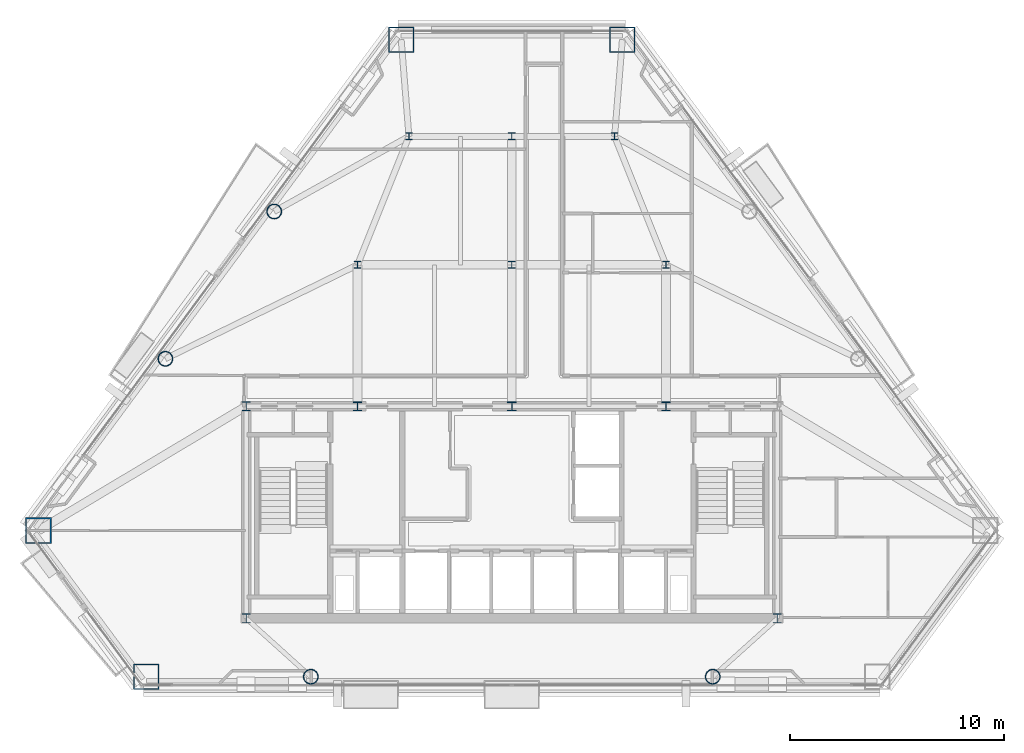
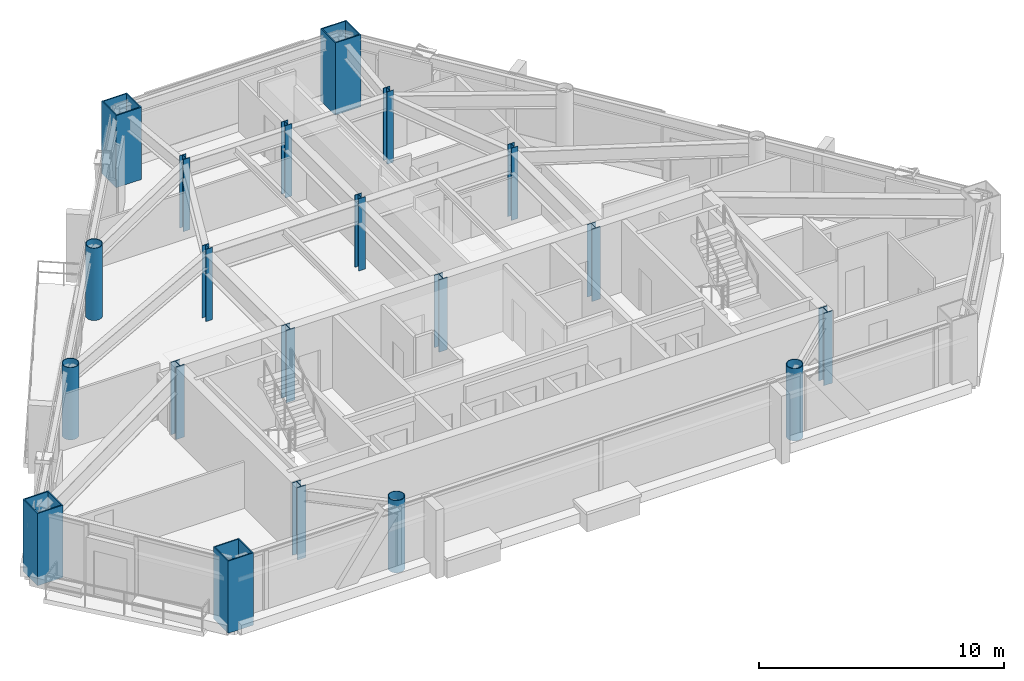
# One storey, part 1 of 11: 20 columns.
"""IFC4 building model written with IfcOpenShell, lengths in metres."""

from ifc_helpers import new_model, si_unit, direction, frame, origin, origin_2d, place, context, subcontext, project, spatial, hollow_rectangle, hollow_circle, i_section, extrude, material, material_profile, profile_set, type_object, element, save


model = new_model("IFC4")

# Units and contexts
model_context = context("Model", 3, precision=1e-05, world=origin(), true_north=direction((0.0, 1.0)))
body_context = subcontext(model_context, "Body", "Model", "MODEL_VIEW")
ifc_project = project(units=[si_unit("LENGTHUNIT", "METRE"), si_unit("AREAUNIT", "SQUARE_METRE"), si_unit("VOLUMEUNIT", "CUBIC_METRE"), si_unit("PLANEANGLEUNIT", "RADIAN"), si_unit("MASSUNIT", "GRAM", prefix="KILO")], contexts=[model_context])

# Site, building, storey
site_placement = place(None, origin())
site = spatial("IfcSite", under=ifc_project, at=site_placement, CompositionType="ELEMENT")
building_placement = place(site_placement, origin())
building = spatial("IfcBuilding", under=site, at=building_placement, Name="Talgorran Terracotta Tower", CompositionType="ELEMENT")
storey_placement = place(building_placement, frame((0.0, 0.0, 136.5)))
storey = spatial("IfcBuildingStorey", under=building, at=storey_placement, Name="L35", CompositionType="ELEMENT", Elevation=136.5)

# Columns
ifc_material_1 = material(Name="Steel S355 (300PLUS)", Category="steel")
ifc_material_profile_1 = material_profile(ifc_material_1, i_section(OverallWidth=0.311279296875, OverallDepth=0.3271484375, WebThickness=0.015625, FlangeThickness=0.02490234375, at=origin_2d()), Name="310UC158")
ifc_profile_set_1 = profile_set([ifc_material_profile_1], Name="Steel S355 (300PLUS)")
column_type_1 = type_object("IfcColumnType", Name="COL_310UC158", PredefinedType="COLUMN", material=ifc_profile_set_1)
for number, where, z_axis, x_axis, name in (
    (1, (-7.199951171875, 2.39990234375, 0.0), (0.0, 0.0, 1.0), (1.0, 0.0, 0.0), "L35 Interior Gravity Column IC1"),
    (2, (0.0, 2.39990234375, 0.0), (0.0, 0.0, 1.0), (1.0, 0.0, 0.0), "L35 Interior Gravity Column IC2"),
    (3, (7.199951171875, 2.39990234375, 0.0), (0.0, 0.0, 1.0), (1.0, 0.0, 0.0), "L35 Interior Gravity Column IC3"),
    (4, (-4.800048828125, 8.39990234375, 0.0), (0.0, 0.0, 1.0), (1.0, 0.0, 0.0), "L35 Interior Gravity Column IC4"),
    (5, (0.0, 8.39990234375, 0.0), (0.0, 0.0, 1.0), (1.0, 0.0, 0.0), "L35 Interior Gravity Column IC5"),
    (6, (4.800048828125, 8.39990234375, 0.0), (0.0, 0.0, 1.0), (1.0, 0.0, 0.0), "L35 Interior Gravity Column IC6"),
):
    element("IfcColumn", number, at=place(storey_placement, frame(where, z_axis=z_axis, x_axis=x_axis)), inside=storey, type_object=column_type_1, Name=name, PredefinedType="COLUMN", context=body_context, shape_type="SweptSolid", body=[
        extrude(i_section(OverallWidth=0.311279296875, OverallDepth=0.3271484375, WebThickness=0.015625, FlangeThickness=0.02490234375, at=origin_2d()), origin(), (0.0, 0.0, 1.0), 3.60009765625),
    ])
ifc_material_profile_2 = material_profile(ifc_material_1, i_section(OverallWidth=0.39990234375, OverallDepth=0.43994140625, WebThickness=0.028076171875, FlangeThickness=0.0400390625, at=origin_2d()), Name="400WC328")
ifc_profile_set_2 = profile_set([ifc_material_profile_2], Name="Steel S355 (300PLUS)")
column_type_2 = type_object("IfcColumnType", Name="COL_400WC328", PredefinedType="COLUMN", material=ifc_profile_set_2)
for number, where, z_axis, x_axis, name in (
    (7, (-12.39990234375, -14.10009765625, 0.0), (0.0, 0.0, 1.0), (1.0, 0.0, 0.0), "L35 Core Boundary Column CC1"),
    (8, (12.39990234375, -14.10009765625, 0.0), (0.0, 0.0, 1.0), (1.0, 0.0, 0.0), "L35 Core Boundary Column CC2"),
    (9, (-12.39990234375, -4.199951171875, 0.0), (0.0, 0.0, 1.0), (1.0, 0.0, 0.0), "L35 Core Boundary Column CC4"),
):
    element("IfcColumn", number, at=place(storey_placement, frame(where, z_axis=z_axis, x_axis=x_axis)), inside=storey, type_object=column_type_2, Name=name, PredefinedType="COLUMN", context=body_context, shape_type="SweptSolid", body=[
        extrude(i_section(OverallWidth=0.39990234375, OverallDepth=0.43994140625, WebThickness=0.028076171875, FlangeThickness=0.0400390625, at=origin_2d()), origin(), (0.0, 0.0, 1.0), 3.60009765625),
    ])
ifc_material_2 = material(Name="Steel Grade 350 (350L0)", Category="steel")
ifc_material_profile_3 = material_profile(ifc_material_2, hollow_rectangle(XDim=1.199951171875, YDim=1.199951171875, WallThickness=0.054931640625, at=origin_2d()), Name="CFT1200X1200X55")
ifc_profile_set_3 = profile_set([ifc_material_profile_3], Name="Steel Grade 350 (350L0)")
column_type_3 = type_object("IfcColumnType", Name="COL_CFT_1200", PredefinedType="COLUMN", material=ifc_profile_set_3)
for number, where, z_axis, x_axis, name in (
    (10, (-22.09619140625, -10.000244140625, 0.0), (0.0, 0.0, 1.0), (1.0, 0.0, 0.0), "L35 Corner CFT Mega-Column MC1"),
    (11, (-17.056884765625, -16.81884765625, 0.0), (0.0, 0.0, 1.0), (1.0, 0.0, 0.0), "L35 Corner CFT Mega-Column MC2"),
    (12, (5.16162109375, 12.91357421875, 0.0), (0.0, 0.0, 1.0), (1.0, 0.0, 0.0), "L35 Corner CFT Mega-Column MC5"),
    (13, (-5.16162109375, 12.91357421875, 0.0), (0.0, 0.0, 1.0), (1.0, 0.0, 0.0), "L35 Corner CFT Mega-Column MC6"),
):
    element("IfcColumn", number, at=place(storey_placement, frame(where, z_axis=z_axis, x_axis=x_axis)), inside=storey, type_object=column_type_3, Name=name, PredefinedType="COLUMN", context=body_context, shape_type="SweptSolid", body=[
        extrude(hollow_rectangle(XDim=1.199951171875, YDim=1.199951171875, WallThickness=0.054931640625, at=origin_2d()), origin(), (0.0, 0.0, 1.0), 3.60009765625),
    ])
ifc_material_profile_4 = material_profile(ifc_material_2, hollow_circle(Radius=0.35009765625, WallThickness=0.030029296875, at=origin_2d()), Name="CHS700X30")
ifc_profile_set_4 = profile_set([ifc_material_profile_4], Name="Steel Grade 350 (350L0)")
column_type_4 = type_object("IfcColumnType", Name="COL_CHS_700", PredefinedType="COLUMN", material=ifc_profile_set_4)
for number, where, z_axis, x_axis, name in (
    (14, (-9.381103515625, -16.81884765625, 0.0), (0.0, 0.0, 1.0), (1.0, 0.0, 0.0), "L35 Facet Perimeter Column FC1"),
    (15, (9.381103515625, -16.81884765625, 0.0), (0.0, 0.0, 1.0), (1.0, 0.0, 0.0), "L35 Facet Perimeter Column FC2"),
    (16, (-11.088623046875, 4.893798828125, 0.0), (0.0, 0.0, 1.0), (1.0, 0.0, 0.0), "L35 Facet Perimeter Column FC5"),
    (17, (-16.169189453125, -1.98046875, 0.0), (0.0, 0.0, 1.0), (1.0, 0.0, 0.0), "L35 Facet Perimeter Column FC6"),
):
    element("IfcColumn", number, at=place(storey_placement, frame(where, z_axis=z_axis, x_axis=x_axis)), inside=storey, type_object=column_type_4, Name=name, PredefinedType="COLUMN", context=body_context, shape_type="SweptSolid", body=[
        extrude(hollow_circle(Radius=0.35009765625, WallThickness=0.030029296875, at=origin_2d()), origin(), (0.0, 0.0, 1.0), 3.60009765625),
    ])
ifc_material_profile_5 = material_profile(ifc_material_1, i_section(OverallWidth=0.405029296875, OverallDepth=0.4140625, WebThickness=0.02197265625, FlangeThickness=0.031982421875, at=origin_2d()), Name="400WC270")
ifc_profile_set_5 = profile_set([ifc_material_profile_5], Name="Steel S355 (300PLUS)")
column_type_5 = type_object("IfcColumnType", Name="COL_PIL_400WC270", PredefinedType="PILASTER", material=ifc_profile_set_5)
for number, where, z_axis, x_axis, name in (
    (18, (-7.199951171875, -4.199951171875, 0.0), (0.0, 0.0, 1.0), (1.0, 0.0, 0.0), "L35 Core Shear Pilaster CP1"),
    (19, (0.0, -4.199951171875, 0.0), (0.0, 0.0, 1.0), (1.0, 0.0, 0.0), "L35 Core Shear Pilaster CP2"),
    (20, (7.199951171875, -4.199951171875, 0.0), (0.0, 0.0, 1.0), (1.0, 0.0, 0.0), "L35 Core Shear Pilaster CP3"),
):
    element("IfcColumn", number, at=place(storey_placement, frame(where, z_axis=z_axis, x_axis=x_axis)), inside=storey, type_object=column_type_5, Name=name, PredefinedType="PILASTER", context=body_context, shape_type="SweptSolid", body=[
        extrude(i_section(OverallWidth=0.405029296875, OverallDepth=0.4140625, WebThickness=0.02197265625, FlangeThickness=0.031982421875, at=origin_2d()), origin(), (0.0, 0.0, 1.0), 3.60009765625),
    ])

save(model, "model.ifc")
